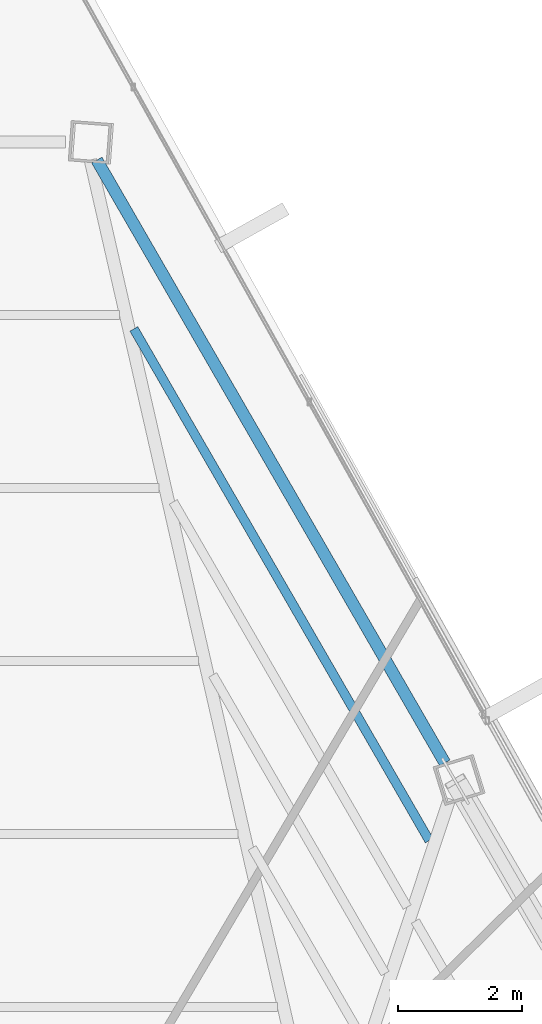
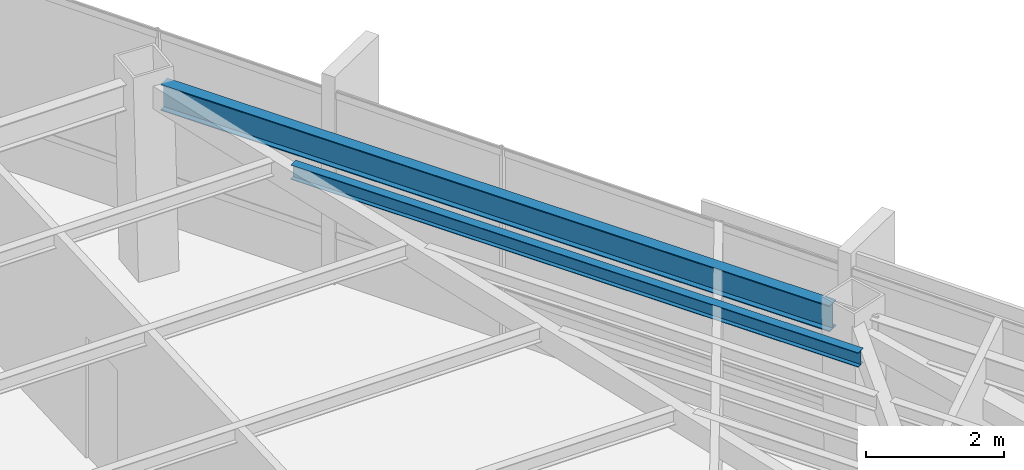
# One storey, part 35 of 44: 2 beams.
"""IFC4 building model written with IfcOpenShell, lengths in metres."""

from ifc_helpers import new_model, si_unit, direction, frame, origin, origin_2d, place, context, subcontext, project, spatial, i_section, extrude, source, transform, mapped, material, material_profile, profile_set, type_object, type_shapes, element, save


model = new_model("IFC4")

# Units and contexts
model_context = context("Model", 3, precision=1e-05, world=origin(), true_north=direction((0.0, 1.0)))
body_context = subcontext(model_context, "Body", "Model", "MODEL_VIEW")
ifc_project = project(units=[si_unit("LENGTHUNIT", "METRE"), si_unit("AREAUNIT", "SQUARE_METRE"), si_unit("VOLUMEUNIT", "CUBIC_METRE"), si_unit("PLANEANGLEUNIT", "RADIAN"), si_unit("MASSUNIT", "GRAM", prefix="KILO")], contexts=[model_context])

# Site, building, storey
site_placement = place(None, origin())
site = spatial("IfcSite", under=ifc_project, at=site_placement, CompositionType="ELEMENT")
building_placement = place(site_placement, origin())
building = spatial("IfcBuilding", under=site, at=building_placement, Name="Caelisora Broadcast Tower", CompositionType="ELEMENT")
storey_placement = place(building_placement, frame((0.0, 0.0, 259.050048828125)))
storey = spatial("IfcBuildingStorey", under=building, at=storey_placement, Name="L68", CompositionType="ELEMENT", Elevation=259.050048828125)

# Beams
ifc_material = material(Name="Steel Grade 350 (AS/NZS 3679.1)", Category="steel")
ifc_material_profile_1 = material_profile(ifc_material, i_section(OverallWidth=0.19091796875, OverallDepth=0.46044921875, WebThickness=0.010009765625, FlangeThickness=0.01611328125, at=origin_2d()), Name="Steel Grade 350 (AS/NZS 3679.1)")
ifc_profile_set_1 = profile_set([ifc_material_profile_1], Name="Steel Grade 350 (AS/NZS 3679.1)")
beam_type_1 = type_object("IfcBeamType", Name="PG06", PredefinedType="BEAM", material=ifc_profile_set_1)
shared_shape_1 = source(origin(), body_context, "Body", "SweptSolid", [
    extrude(i_section(OverallWidth=0.19091796875, OverallDepth=0.46044921875, WebThickness=0.010009765625, FlangeThickness=0.01611328125, at=origin_2d()), origin(), (0.0, 0.0, 1.0), 11.18994140625),
])
type_shapes(beam_type_1, [shared_shape_1])
beam_1_placement = place(storey_placement, frame((47.45947265625, 36.702392578125, 3.169677734375), z_axis=(-0.500003857942, 0.866023176389, 0.0), x_axis=(-0.866023176389, -0.500003857942, 0.0)))
element("IfcBeam", 1, at=beam_1_placement, inside=storey, type_object=beam_type_1, Name="L68 beam PG06", PredefinedType="BEAM", context=body_context, shape_type="MappedRepresentation", body=[
    mapped(shared_shape_1, transform((0.0, 0.0, 0.0), scale=1.0)),
])
ifc_material_profile_2 = material_profile(ifc_material, i_section(OverallWidth=0.14599609375, OverallDepth=0.256103515625, WebThickness=0.00634765625, FlangeThickness=0.010986328125, at=origin_2d()), Name="Steel Grade 350 (AS/NZS 3679.1)")
ifc_profile_set_2 = profile_set([ifc_material_profile_2], Name="Steel Grade 350 (AS/NZS 3679.1)")
beam_type_2 = type_object("IfcBeamType", Name="SB04", PredefinedType="JOIST", material=ifc_profile_set_2)
shared_shape_2 = source(origin(), body_context, "Body", "SweptSolid", [
    extrude(i_section(OverallWidth=0.14599609375, OverallDepth=0.256103515625, WebThickness=0.00634765625, FlangeThickness=0.010986328125, at=origin_2d()), origin(), (0.0, 0.0, 1.0), 9.497314453125),
])
type_shapes(beam_type_2, [shared_shape_2])
beam_2_placement = place(storey_placement, frame((47.208251953125, 35.45458984375, 3.27197265625), z_axis=(-0.499993189948, 0.866029335534, 0.0), x_axis=(-0.866029335534, -0.499993189948, 0.0)))
element("IfcBeam", 2, at=beam_2_placement, inside=storey, type_object=beam_type_2, Name="L68 beam SB04", PredefinedType="JOIST", context=body_context, shape_type="MappedRepresentation", body=[
    mapped(shared_shape_2, transform((0.0, 0.0, 0.0), scale=1.0)),
])

save(model, "model.ifc")
